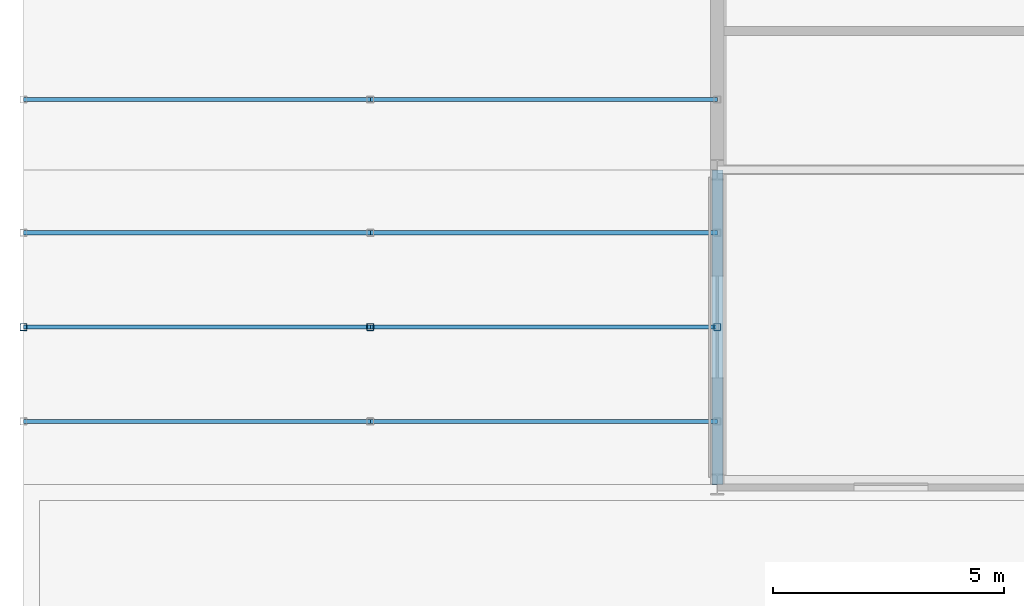
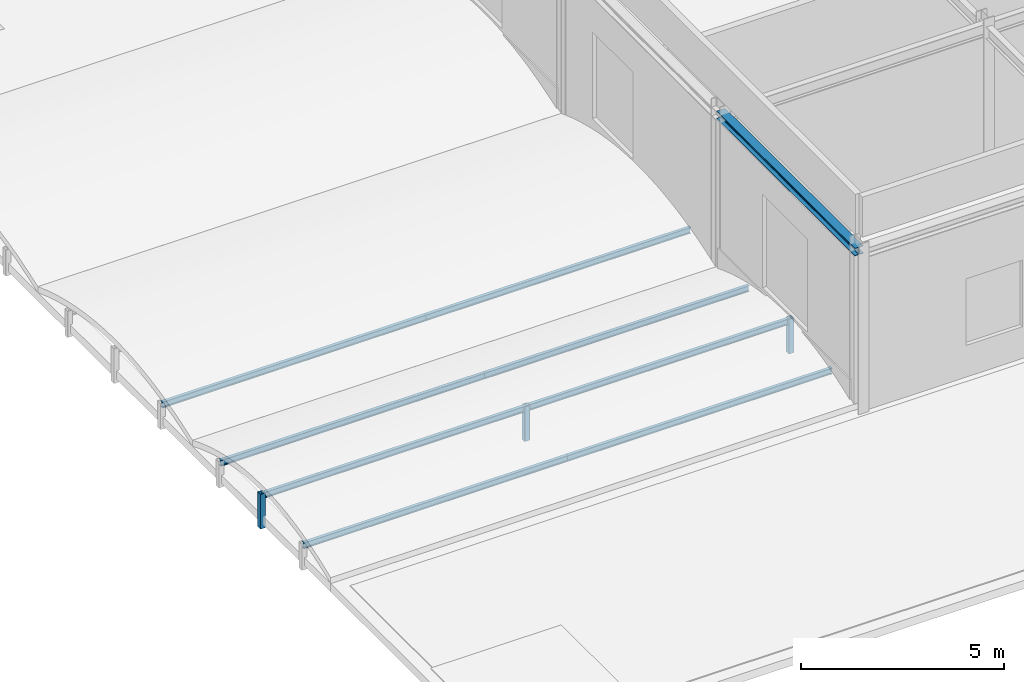
# One storey, part 15 of 113: 11 members, 1 beam.
"""IFC4 building model written with IfcOpenShell, lengths in metres."""

from ifc_helpers import new_model, si_unit, direction, frame, origin, origin_2d, place, context, subcontext, project, spatial, hollow_rectangle, i_section, extrude, material, material_profile, profile_set, type_object, element, save


model = new_model("IFC4")

# Units and contexts
model_context = context("Model", 3, precision=1e-05, world=origin(), true_north=direction((0.0, 1.0)))
body_context = subcontext(model_context, "Body", "Model", "MODEL_VIEW")
ifc_project = project(units=[si_unit("LENGTHUNIT", "METRE"), si_unit("AREAUNIT", "SQUARE_METRE"), si_unit("VOLUMEUNIT", "CUBIC_METRE"), si_unit("PLANEANGLEUNIT", "RADIAN"), si_unit("MASSUNIT", "GRAM", prefix="KILO")], contexts=[model_context])

# Site, building, storey
site_placement = place(None, origin())
site = spatial("IfcSite", under=ifc_project, at=site_placement, CompositionType="ELEMENT")
building_placement = place(site_placement, origin())
building = spatial("IfcBuilding", under=site, at=building_placement, Name="Shalkamar Park Central Library", CompositionType="ELEMENT")
storey_placement = place(building_placement, frame((0.0, 0.0, 5.39990234375)))
storey = spatial("IfcBuildingStorey", under=building, at=storey_placement, Name="L02", CompositionType="ELEMENT", Elevation=5.39990234375)

# Members
ifc_material = material(Name="Steel S355", Category="steel")
ifc_material_profile_1 = material_profile(ifc_material, hollow_rectangle(XDim=0.14990234375, YDim=0.14990234375, WallThickness=0.008056640625, InnerFilletRadius=0.008056640625, OuterFilletRadius=0.011962890625, at=origin_2d()), Name="SHS 150x150x8")
ifc_profile_set_1 = profile_set([ifc_material_profile_1], Name="Steel S355")
member_type_1 = type_object("IfcMemberType", Name="Diagonal Brace SHS150", PredefinedType="BRACE", material=ifc_profile_set_1)
for number, where, z_axis, x_axis, name in (
    (1, (120.0, 251.800048828125, -0.35986328125), (0.0, 0.0, 1.0), (1.0, 0.0, 0.0), "Vault Arch Post BV-L01-W1-01.2"),
    (2, (127.5, 251.800048828125, -0.35986328125), (0.0, 0.0, 1.0), (1.0, 0.0, 0.0), "Vault Arch Post BV-L01-W1-02.2"),
    (3, (135.0, 251.800048828125, -0.35986328125), (0.0, 0.0, 1.0), (1.0, 0.0, 0.0), "Vault Arch Post BV-L01-W1-03.2"),
):
    element("IfcMember", number, at=place(storey_placement, frame(where, z_axis=z_axis, x_axis=x_axis)), inside=storey, type_object=member_type_1, Name=name, PredefinedType="BRACE", context=body_context, shape_type="SweptSolid", body=[
        extrude(hollow_rectangle(XDim=0.14990234375, YDim=0.14990234375, WallThickness=0.008056640625, InnerFilletRadius=0.008056640625, OuterFilletRadius=0.011962890625, at=origin_2d()), origin(), (0.0, 0.0, 1.0), 1.0400390625),
    ])

# Beam
ifc_material_profile_2 = material_profile(ifc_material, i_section(OverallWidth=0.239990234375, OverallDepth=0.22998046875, WebThickness=0.007568359375, FlangeThickness=0.011962890625, FilletRadius=0.02099609375, at=origin_2d()), Name="HEA 240")
ifc_profile_set_2 = profile_set([ifc_material_profile_2], Name="Steel S355")
beam_type = type_object("IfcBeamType", Name="Perimeter Spandrel Beam HEA240", PredefinedType="SPANDREL", material=ifc_profile_set_2)
beam_placement = place(storey_placement, frame((135.0, 248.39990234375, 4.735107421875), z_axis=(0.0, 1.0, 0.0), x_axis=(-1.0, 0.0, 0.0)))
element("IfcBeam", 4, at=beam_placement, inside=storey, type_object=beam_type, Name="Beam 03:B-C (L02)", PredefinedType="SPANDREL", context=body_context, shape_type="SweptSolid", body=[
    extrude(i_section(OverallWidth=0.239990234375, OverallDepth=0.22998046875, WebThickness=0.007568359375, FlangeThickness=0.011962890625, FilletRadius=0.02099609375, at=origin_2d()), origin(), (0.0, 0.0, 1.0), 6.800048828125),
])

# Members
ifc_material_profile_3 = material_profile(ifc_material, i_section(OverallWidth=0.091064453125, OverallDepth=0.179931640625, WebThickness=0.00537109375, FlangeThickness=0.008056640625, FilletRadius=0.009033203125, at=origin_2d()), Name="IPE 180")
ifc_profile_set_3 = profile_set([ifc_material_profile_3], Name="Steel S355")
member_type_2 = type_object("IfcMemberType", Name="Roof Purlin IPE180", PredefinedType="PURLIN", material=ifc_profile_set_3)
for number, where, z_axis, x_axis, name in (
    (5, (120.0, 249.760009765625, 0.330810546875), (1.0, 0.0, 0.0), (0.0, 1.0, 0.0), "Barrel Roof Purlin BV-L01-W1-1.01"),
    (6, (127.5, 249.760009765625, 0.330810546875), (1.0, 0.0, 0.0), (0.0, 1.0, 0.0), "Barrel Roof Purlin BV-L01-W1-1.02"),
    (7, (120.0, 251.800048828125, 0.590087890625), (1.0, 0.0, 0.0), (0.0, 1.0, 0.0), "Barrel Roof Purlin BV-L01-W1-2.01"),
    (8, (127.5, 251.800048828125, 0.590087890625), (1.0, 0.0, 0.0), (0.0, 1.0, 0.0), "Barrel Roof Purlin BV-L01-W1-2.02"),
    (9, (120.0, 253.840087890625, 0.330810546875), (1.0, 0.0, 0.0), (0.0, 1.0, 0.0), "Barrel Roof Purlin BV-L01-W1-3.01"),
    (10, (127.5, 253.840087890625, 0.330810546875), (1.0, 0.0, 0.0), (0.0, 1.0, 0.0), "Barrel Roof Purlin BV-L01-W1-3.02"),
    (11, (120.0, 256.719970703125, 0.330810546875), (1.0, 0.0, 0.0), (0.0, 1.0, 0.0), "Barrel Roof Purlin BV-L01-W2-1.01"),
    (12, (127.5, 256.719970703125, 0.330810546875), (1.0, 0.0, 0.0), (0.0, 1.0, 0.0), "Barrel Roof Purlin BV-L01-W2-1.02"),
):
    element("IfcMember", number, at=place(storey_placement, frame(where, z_axis=z_axis, x_axis=x_axis)), inside=storey, type_object=member_type_2, Name=name, PredefinedType="PURLIN", context=body_context, shape_type="SweptSolid", body=[
        extrude(i_section(OverallWidth=0.091064453125, OverallDepth=0.179931640625, WebThickness=0.00537109375, FlangeThickness=0.008056640625, FilletRadius=0.009033203125, at=origin_2d()), origin(), (0.0, 0.0, 1.0), 7.5),
    ])

save(model, "model.ifc")
